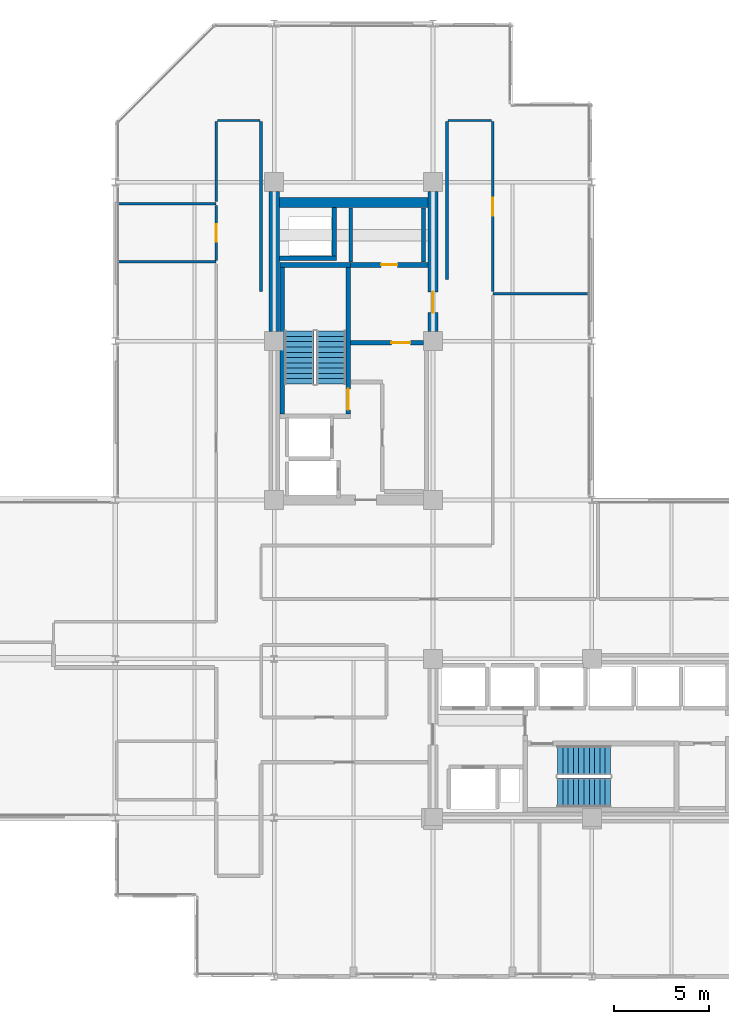
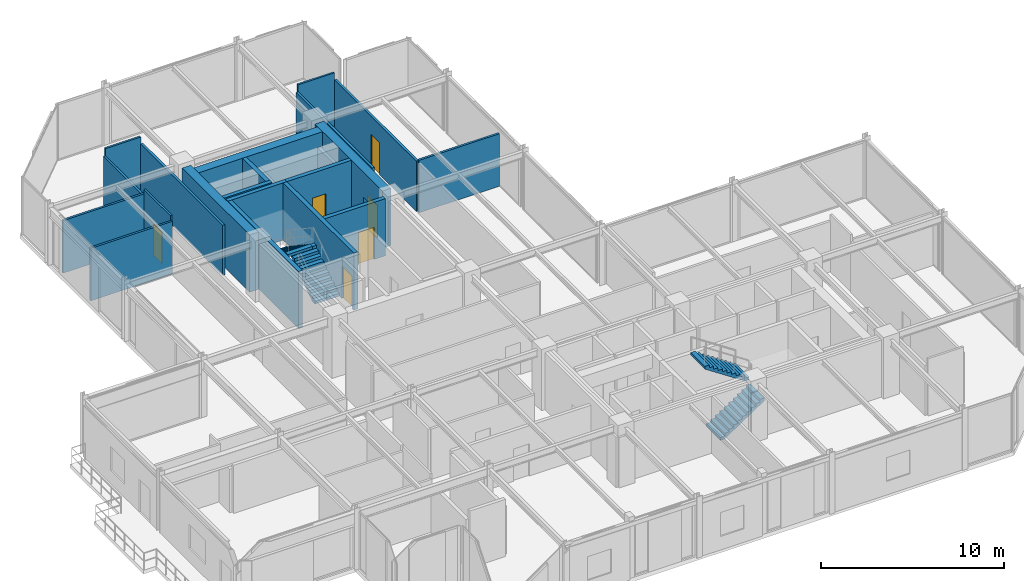
# One storey, part 26 of 29: 22 walls, 6 doors, 4 stair flights, 6 openings, 2 elements without a shape of their own.
"""IFC4 building model written with IfcOpenShell, lengths in metres."""

from ifc_helpers import new_model, si_unit, direction, frame, frame_2d, origin, place, context, subcontext, project, spatial, polyline, rectangle, outline, extrude, material, layer, layer_set, type_object, element, fill, aggregate, save


model = new_model("IFC4")

# Units and contexts
model_context = context("Model", 3, precision=1e-05, world=origin(), true_north=direction((0.0, 1.0)))
body_context = subcontext(model_context, "Body", "Model", "MODEL_VIEW")
ifc_project = project(units=[si_unit("LENGTHUNIT", "METRE"), si_unit("AREAUNIT", "SQUARE_METRE"), si_unit("VOLUMEUNIT", "CUBIC_METRE"), si_unit("PLANEANGLEUNIT", "RADIAN"), si_unit("MASSUNIT", "GRAM", prefix="KILO")], contexts=[model_context])

# Site, building, storey
site_placement = place(None, origin())
site = spatial("IfcSite", under=ifc_project, at=site_placement, CompositionType="ELEMENT")
building_placement = place(site_placement, origin())
building = spatial("IfcBuilding", under=site, at=building_placement, Name="Nerrivon Quay Data Exchange", CompositionType="ELEMENT")
storey_placement = place(building_placement, frame((0.0, 0.0, 200.10009765625)))
storey = spatial("IfcBuildingStorey", under=building, at=storey_placement, Name="L47", CompositionType="ELEMENT", Elevation=200.10009765625)

# Walls
ifc_material_1 = material(Name="Concrete S65 (65 MPa)", Category="concrete")
ifc_layer_1 = layer(ifc_material_1, 0.550048828125)
ifc_layer_set_1 = layer_set([ifc_layer_1], Name="Concrete S65 (65 MPa)")
wall_type_1 = type_object("IfcWallType", Name="WALL-CW-700", PredefinedType="SHEAR", material=ifc_layer_set_1)
wall_1_placement = place(storey_placement, frame((8.39990234375, 34.10009765625, 0.0), z_axis=(0.0, 0.0, 1.0), x_axis=(0.0, 1.0, 0.0)))
element("IfcWall", 1, at=wall_1_placement, inside=storey, type_object=wall_type_1, Name="L47 West Split-Core Shear Wall WCW-W2", PredefinedType="SHEAR", context=body_context, shape_type="SweptSolid", body=[
    extrude(rectangle(XDim=7.39990234375, YDim=0.550048828125, at=frame_2d((3.699951171875, 0.0))), origin(), (0.0, 0.0, 1.0), 3.824951171875),
])
wall_2_placement = place(storey_placement, frame((8.675048828125, 40.925048828125, 0.0), z_axis=(0.0, 0.0, 1.0), x_axis=(1.0, 0.0, 0.0)))
element("IfcWall", 2, at=wall_2_placement, inside=storey, type_object=wall_type_1, Name="L47 West Split-Core Shear Wall WCW-N1", PredefinedType="SHEAR", context=body_context, shape_type="SweptSolid", body=[
    extrude(rectangle(XDim=7.849853515625, YDim=0.550048828125, at=frame_2d((3.9248046875, 0.0))), origin(), (0.0, 0.0, 1.0), 3.824951171875),
])

# Wall, opening, door
wall_3_placement = place(storey_placement, frame((16.800048828125, 34.10009765625, 0.0), z_axis=(0.0, 0.0, 1.0), x_axis=(0.0, 1.0, 0.0)))
wall_3 = element("IfcWall", 3, at=wall_3_placement, inside=storey, type_object=wall_type_1, Name="L47 West Split-Core Shear Wall WCW-E1", PredefinedType="SHEAR", context=body_context, shape_type="SweptSolid", body=[
    extrude(rectangle(XDim=7.39990234375, YDim=0.550048828125, at=frame_2d((3.699951171875, 0.0))), origin(), (0.0, 0.0, 1.0), 3.824951171875),
])
opening_1_placement = place(wall_3_placement, frame((1.0, 0.0, 0.0)))
opening_1 = element("IfcOpeningElement", 4, at=opening_1_placement, cuts=wall_3, Name="Opening FD-120", PredefinedType="OPENING", context=body_context, shape_type="SweptSolid", body=[
    extrude(rectangle(XDim=1.10009765625, YDim=2.14990234375, at=frame_2d((0.550048828125, 1.074951171875))), frame((0.0, 0.284912109375, 0.0), z_axis=(0.0, -1.0, 0.0), x_axis=(1.0, 0.0, 0.0)), (0.0, 0.0, 1.0), 0.570068359375),
])
ifc_material_2 = material(Name="Powder-coated galvanized steel sheet", Category="steel")
door_type_1 = type_object("IfcDoorType", Name="DR-FD120-1100", OperationType="NOTDEFINED", PredefinedType="DOOR", material=ifc_material_2)
door_1_placement = place(opening_1_placement, origin())
door_1 = element("IfcDoor", 5, at=door_1_placement, inside=storey, type_object=door_type_1, Name="L47 West Core Lobby Fire Door", OperationType="SINGLE_SWING_LEFT", OverallHeight=2.14990234375, OverallWidth=1.10009765625, PredefinedType="DOOR", context=body_context, shape_type="SweptSolid", body=[
    extrude(rectangle(XDim=1.10009765625, YDim=2.14990234375, at=frame_2d((0.550048828125, 1.074951171875))), frame((0.0, 0.02490234375, 0.0), z_axis=(0.0, -1.0, 0.0), x_axis=(1.0, 0.0, 0.0)), (0.0, 0.0, 1.0), 0.050048828125),
])
fill(opening_1, door_1)

# Walls
ifc_material_3 = material(Name="Gypsum plasterboard on cold-formed framing", Category="gypsum")
ifc_layer_2 = layer(ifc_material_3, 0.199951171875)
ifc_layer_set_2 = layer_set([ifc_layer_2], Name="Gypsum plasterboard on cold-formed framing")
wall_type_2 = type_object("IfcWallType", Name="WALL-FW-200", PredefinedType="PARTITIONING", material=ifc_layer_set_2)
for number, where, z_axis, x_axis, name in (
    (6, (16.300048828125, 37.780029296875, 0.0), (0.0, 0.0, 1.0), (0.0, 1.0, 0.0), "L47 Partition Cleaners Store"),
    (7, (12.449951171875, 40.64599609375, 0.0), (0.0, 0.0, 1.0), (0.0, -1.0, 0.0), "L47 Partition Cleaners Store"),
):
    element("IfcWall", number, at=place(storey_placement, frame(where, z_axis=z_axis, x_axis=x_axis)), inside=storey, type_object=wall_type_2, Name=name, PredefinedType="PARTITIONING", context=body_context, shape_type="SweptSolid", body=[
        extrude(rectangle(XDim=2.865966796875, YDim=0.199951171875, at=frame_2d((1.43310546875, 0.0))), origin(), (0.0, 0.0, 1.0), 2.875),
    ])

# Wall, opening, door
ifc_layer_3 = layer(ifc_material_3, 0.1201171875)
ifc_layer_set_3 = layer_set([ifc_layer_3], Name="Gypsum plasterboard on cold-formed framing")
wall_type_3 = type_object("IfcWallType", Name="WALL-PT-120", PredefinedType="PARTITIONING", material=ifc_layer_set_3)
wall_4_placement = place(storey_placement, frame((5.340087890625, 37.87158203125, 0.0), z_axis=(0.0, 0.0, 1.0), x_axis=(0.0, 1.0, 0.0)))
wall_4 = element("IfcWall", 8, at=wall_4_placement, inside=storey, type_object=wall_type_3, Name="L47 Partition Accessible Toilet", PredefinedType="PARTITIONING", context=body_context, shape_type="SweptSolid", body=[
    extrude(rectangle(XDim=2.906982421875, YDim=0.1201171875, at=frame_2d((1.45361328125, 0.0))), origin(), (0.0, 0.0, 1.0), 3.824951171875),
])
opening_2_placement = place(wall_4_placement, frame((0.993408203125, 0.0, 0.0)))
opening_2 = element("IfcOpeningElement", 9, at=opening_2_placement, cuts=wall_4, Name="Opening D-WC", PredefinedType="OPENING", context=body_context, shape_type="SweptSolid", body=[
    extrude(rectangle(XDim=0.919921875, YDim=2.10009765625, at=frame_2d((0.4599609375, 1.050048828125))), frame((0.0, 0.070068359375, 0.0), z_axis=(0.0, -1.0, 0.0), x_axis=(1.0, 0.0, 0.0)), (0.0, 0.0, 1.0), 0.14013671875),
])
ifc_material_4 = material(Name="Engineered hardwood timber", Category="wood")
door_type_2 = type_object("IfcDoorType", Name="DR-WC-920", OperationType="NOTDEFINED", PredefinedType="DOOR", material=ifc_material_4)
door_2_placement = place(opening_2_placement, origin())
door_2 = element("IfcDoor", 10, at=door_2_placement, inside=storey, type_object=door_type_2, Name="L47 Door Accessible Toilet", OperationType="SINGLE_SWING_RIGHT", OverallHeight=2.10009765625, OverallWidth=0.919921875, PredefinedType="DOOR", context=body_context, shape_type="SweptSolid", body=[
    extrude(rectangle(XDim=0.919921875, YDim=2.10009765625, at=frame_2d((0.4599609375, 1.050048828125))), frame((0.0, 0.02490234375, 0.0), z_axis=(0.0, -1.0, 0.0), x_axis=(1.0, 0.0, 0.0)), (0.0, 0.0, 1.0), 0.050048828125),
])
fill(opening_2, door_2)

# Walls
wall_5_placement = place(storey_placement, frame((5.39990234375, 45.260009765625, 0.0), z_axis=(0.0, 0.0, 1.0), x_axis=(1.0, 0.0, 0.0)))
element("IfcWall", 11, at=wall_5_placement, inside=storey, type_object=wall_type_3, Name="L47 Partition Technical Library", PredefinedType="PARTITIONING", context=body_context, shape_type="SweptSolid", body=[
    extrude(rectangle(XDim=2.25, YDim=0.1201171875, at=frame_2d((1.125, 0.0))), origin(), (0.0, 0.0, 1.0), 3.824951171875),
])
wall_6_placement = place(storey_placement, frame((17.60009765625, 45.260009765625, 0.0), z_axis=(0.0, 0.0, 1.0), x_axis=(1.0, 0.0, 0.0)))
element("IfcWall", 12, at=wall_6_placement, inside=storey, type_object=wall_type_3, Name="L47 Partition Technical Library", PredefinedType="PARTITIONING", context=body_context, shape_type="SweptSolid", body=[
    extrude(rectangle(XDim=2.2998046875, YDim=0.1201171875, at=frame_2d((1.14990234375, 0.0))), origin(), (0.0, 0.0, 1.0), 3.824951171875),
])
ifc_layer_4 = layer(ifc_material_3, 0.135009765625)
ifc_layer_set_4 = layer_set([ifc_layer_4], Name="Gypsum plasterboard on cold-formed framing")
wall_type_4 = type_object("IfcWallType", Name="WALL-PT-135", PredefinedType="PARTITIONING", material=ifc_layer_set_4)
for number, where, z_axis, x_axis, name in (
    (13, (5.340087890625, 40.85009765625, 0.0), (0.0, 0.0, 1.0), (-1.0, 0.0, 0.0), "L47 Partition Accessible Toilet"),
    (14, (0.1689453125, 37.800048828125, 0.0), (0.0, 0.0, 1.0), (1.0, 0.0, 0.0), "L47 Partition Accessible Toilet"),
):
    element("IfcWall", number, at=place(storey_placement, frame(where, z_axis=z_axis, x_axis=x_axis)), inside=storey, type_object=wall_type_4, Name=name, PredefinedType="PARTITIONING", context=body_context, shape_type="SweptSolid", body=[
        extrude(rectangle(XDim=5.171142578125, YDim=0.135009765625, at=frame_2d((2.58544921875, 0.0))), origin(), (0.0, 0.0, 1.0), 3.517822265625),
    ])
wall_7_placement = place(storey_placement, frame((25.031005859375, 36.092041015625, 0.0), z_axis=(0.0, 0.0, 1.0), x_axis=(-1.0, 0.0, 0.0)))
element("IfcWall", 15, at=wall_7_placement, inside=storey, type_object=wall_type_4, Name="L47 Partition Staff Tea Pantry", PredefinedType="PARTITIONING", context=body_context, shape_type="SweptSolid", body=[
    extrude(rectangle(XDim=5.071044921875, YDim=0.135009765625, at=frame_2d((2.53564453125, 0.0))), origin(), (0.0, 0.0, 1.0), 3.517822265625),
])
wall_8_placement = place(storey_placement, frame((5.340087890625, 40.969970703125, 0.0), z_axis=(0.0, 0.0, 1.0), x_axis=(0.0, 1.0, 0.0)))
element("IfcWall", 16, at=wall_8_placement, inside=storey, type_object=wall_type_4, Name="L47 Partition Technical Library", PredefinedType="PARTITIONING", context=body_context, shape_type="SweptSolid", body=[
    extrude(rectangle(XDim=4.22998046875, YDim=0.135009765625, at=frame_2d((2.114990234375, 0.0))), origin(), (0.0, 0.0, 1.0), 3.364990234375),
])

# Wall, opening, door
ifc_layer_5 = layer(ifc_material_3, 0.14990234375)
ifc_layer_set_5 = layer_set([ifc_layer_5], Name="Gypsum plasterboard on cold-formed framing")
wall_type_5 = type_object("IfcWallType", Name="WALL-PT-150", PredefinedType="PARTITIONING", material=ifc_layer_set_5)
wall_9_placement = place(storey_placement, frame((19.9599609375, 45.199951171875, 0.0), z_axis=(0.0, 0.0, 1.0), x_axis=(0.0, -1.0, 0.0)))
wall_9 = element("IfcWall", 17, at=wall_9_placement, inside=storey, type_object=wall_type_5, Name="L47 Partition Technical Library", PredefinedType="PARTITIONING", context=body_context, shape_type="SweptSolid", body=[
    extrude(rectangle(XDim=8.988037109375, YDim=0.14990234375, at=frame_2d((4.494140625, 0.0))), origin(), (0.0, 0.0, 1.0), 3.364990234375),
])
opening_3_placement = place(wall_9_placement, frame((4.01904296875, 0.0, 0.0)))
opening_3 = element("IfcOpeningElement", 18, at=opening_3_placement, cuts=wall_9, Name="Opening D-01", PredefinedType="OPENING", context=body_context, shape_type="SweptSolid", body=[
    extrude(rectangle(XDim=0.949951171875, YDim=2.14990234375, at=frame_2d((0.47509765625, 1.074951171875))), frame((0.0, 0.0849609375, 0.0), z_axis=(0.0, -1.0, 0.0), x_axis=(1.0, 0.0, 0.0)), (0.0, 0.0, 1.0), 0.169921875),
])
door_type_3 = type_object("IfcDoorType", Name="DR-INT-950", OperationType="NOTDEFINED", PredefinedType="DOOR", material=ifc_material_4)
door_3_placement = place(opening_3_placement, origin())
door_3 = element("IfcDoor", 19, at=door_3_placement, inside=storey, type_object=door_type_3, Name="L47 Door Technical Library", OperationType="SINGLE_SWING_LEFT", OverallHeight=2.14990234375, OverallWidth=0.949951171875, PredefinedType="DOOR", context=body_context, shape_type="SweptSolid", body=[
    extrude(rectangle(XDim=0.949951171875, YDim=2.14990234375, at=frame_2d((0.47509765625, 1.074951171875))), frame((0.0, 0.02490234375, 0.0), z_axis=(0.0, -1.0, 0.0), x_axis=(1.0, 0.0, 0.0)), (0.0, 0.0, 1.0), 0.050048828125),
])
fill(opening_3, door_3)

# Walls
wall_10_placement = place(storey_placement, frame((7.7099609375, 45.199951171875, 0.0), z_axis=(0.0, 0.0, 1.0), x_axis=(0.0, -1.0, 0.0)))
element("IfcWall", 20, at=wall_10_placement, inside=storey, type_object=wall_type_5, Name="L47 Partition Technical Library", PredefinedType="PARTITIONING", context=body_context, shape_type="SweptSolid", body=[
    extrude(rectangle(XDim=8.988037109375, YDim=0.14990234375, at=frame_2d((4.494140625, 0.0))), origin(), (0.0, 0.0, 1.0), 3.364990234375),
])
wall_11_placement = place(storey_placement, frame((17.5400390625, 36.860107421875, 0.0), z_axis=(0.0, 0.0, 1.0), x_axis=(0.0, 1.0, 0.0)))
element("IfcWall", 21, at=wall_11_placement, inside=storey, type_object=wall_type_5, Name="L47 Partition Technical Library", PredefinedType="PARTITIONING", context=body_context, shape_type="SweptSolid", body=[
    extrude(rectangle(XDim=8.33984375, YDim=0.14990234375, at=frame_2d((4.169921875, 0.0))), origin(), (0.0, 0.0, 1.0), 3.364990234375),
])
ifc_material_5 = material(Name="Concrete N50 (50 MPa)", Category="concrete")
ifc_layer_6 = layer(ifc_material_5, 0.25)
ifc_layer_set_6 = layer_set([ifc_layer_6], Name="Concrete N50 (50 MPa)")
wall_type_6 = type_object("IfcWallType", Name="WALL-SW-250", PredefinedType="SHEAR", material=ifc_layer_set_6)
wall_12_placement = place(storey_placement, frame((12.449951171875, 37.625, 0.0), z_axis=(0.0, 0.0, 1.0), x_axis=(-1.0, 0.0, 0.0)))
element("IfcWall", 22, at=wall_12_placement, inside=storey, type_object=wall_type_6, Name="L47 ST01 Structural Stair Core Wall FAR", PredefinedType="SHEAR", context=body_context, shape_type="SweptSolid", body=[
    extrude(rectangle(XDim=3.75, YDim=0.25, at=frame_2d((1.875, 0.0))), origin(), (0.0, 0.0, 1.0), 3.824951171875),
])

# Wall, opening, door
wall_13_placement = place(storey_placement, frame((12.324951171875, 29.75, 0.0), z_axis=(0.0, 0.0, 1.0), x_axis=(0.0, 1.0, 0.0)))
wall_13 = element("IfcWall", 23, at=wall_13_placement, inside=storey, type_object=wall_type_6, Name="L47 ST01 Structural Stair Core Wall LEFT", PredefinedType="SHEAR", context=body_context, shape_type="SweptSolid", body=[
    extrude(rectangle(XDim=7.75, YDim=0.25, at=frame_2d((3.875, 0.0))), origin(), (0.0, 0.0, 1.0), 3.824951171875),
])
opening_4_placement = place(wall_13_placement, frame((0.219970703125, 0.0, 0.0)))
opening_4 = element("IfcOpeningElement", 24, at=opening_4_placement, cuts=wall_13, Name="Opening FD-120", PredefinedType="OPENING", context=body_context, shape_type="SweptSolid", body=[
    extrude(rectangle(XDim=1.10009765625, YDim=2.14990234375, at=frame_2d((0.550048828125, 1.074951171875))), frame((0.0, 0.135009765625, 0.0), z_axis=(0.0, -1.0, 0.0), x_axis=(1.0, 0.0, 0.0)), (0.0, 0.0, 1.0), 0.27001953125),
])
door_4_placement = place(opening_4_placement, origin())
door_4 = element("IfcDoor", 25, at=door_4_placement, inside=storey, type_object=door_type_1, Name="L47 Protected Stair Door ST01", OperationType="SINGLE_SWING_LEFT", OverallHeight=2.14990234375, OverallWidth=1.10009765625, PredefinedType="DOOR", context=body_context, shape_type="SweptSolid", body=[
    extrude(rectangle(XDim=1.10009765625, YDim=2.14990234375, at=frame_2d((0.550048828125, 1.074951171875))), frame((0.0, 0.02490234375, 0.0), z_axis=(0.0, -1.0, 0.0), x_axis=(1.0, 0.0, 0.0)), (0.0, 0.0, 1.0), 0.050048828125),
])
fill(opening_4, door_4)

# Walls
wall_14_placement = place(storey_placement, frame((8.824951171875, 29.75, 0.0), z_axis=(0.0, 0.0, 1.0), x_axis=(0.0, 1.0, 0.0)))
element("IfcWall", 26, at=wall_14_placement, inside=storey, type_object=wall_type_6, Name="L47 ST01 Structural Stair Core Wall RIGHT", PredefinedType="SHEAR", context=body_context, shape_type="SweptSolid", body=[
    extrude(rectangle(XDim=7.75, YDim=0.25, at=frame_2d((3.875, 0.0))), origin(), (0.0, 0.0, 1.0), 3.824951171875),
])
wall_15_placement = place(storey_placement, frame((8.675048828125, 37.97509765625, 0.0), z_axis=(0.0, 0.0, 1.0), x_axis=(1.0, 0.0, 0.0)))
element("IfcWall", 27, at=wall_15_placement, inside=storey, type_object=wall_type_6, Name="L47 West Core MEP Riser Shaft Wall S", PredefinedType="SHEAR", context=body_context, shape_type="SweptSolid", body=[
    extrude(rectangle(XDim=3.02490234375, YDim=0.25, at=frame_2d((1.512451171875, 0.0))), origin(), (0.0, 0.0, 1.0), 3.824951171875),
])
wall_16_placement = place(storey_placement, frame((11.574951171875, 38.10009765625, 0.0), z_axis=(0.0, 0.0, 1.0), x_axis=(0.0, 1.0, 0.0)))
element("IfcWall", 28, at=wall_16_placement, inside=storey, type_object=wall_type_6, Name="L47 West Core MEP Riser Shaft Wall E", PredefinedType="SHEAR", context=body_context, shape_type="SweptSolid", body=[
    extrude(rectangle(XDim=2.5498046875, YDim=0.25, at=frame_2d((1.27490234375, 0.0))), origin(), (0.0, 0.0, 1.0), 3.824951171875),
])

# Wall, opening, door
wall_17_placement = place(storey_placement, frame((12.449951171875, 33.52001953125, 0.0), z_axis=(0.0, 0.0, 1.0), x_axis=(1.0, 0.0, 0.0)))
wall_17 = element("IfcWall", 29, at=wall_17_placement, inside=storey, type_object=wall_type_6, Name="L47 West Lobby Smoke-Stop Wall", PredefinedType="SHEAR", context=body_context, shape_type="SweptSolid", body=[
    extrude(rectangle(XDim=3.85009765625, YDim=0.25, at=frame_2d((1.925048828125, 0.0))), origin(), (0.0, 0.0, 1.0), 3.824951171875),
])
opening_5_placement = place(wall_17_placement, frame((2.14990234375, 0.0, 0.0)))
opening_5 = element("IfcOpeningElement", 30, at=opening_5_placement, cuts=wall_17, Name="Opening FD-60", PredefinedType="OPENING", context=body_context, shape_type="SweptSolid", body=[
    extrude(rectangle(XDim=1.0, YDim=2.14990234375, at=frame_2d((0.5, 1.074951171875))), frame((0.0, 0.135009765625, 0.0), z_axis=(0.0, -1.0, 0.0), x_axis=(1.0, 0.0, 0.0)), (0.0, 0.0, 1.0), 0.27001953125),
])
door_type_4 = type_object("IfcDoorType", Name="DR-FD60-1000", OperationType="NOTDEFINED", PredefinedType="DOOR", material=ifc_material_4)
door_5_placement = place(opening_5_placement, origin())
door_5 = element("IfcDoor", 31, at=door_5_placement, inside=storey, type_object=door_type_4, Name="L47 West Firefighting Lobby Fire Door", OperationType="SINGLE_SWING_LEFT", OverallHeight=2.14990234375, OverallWidth=1.0, PredefinedType="DOOR", context=body_context, shape_type="SweptSolid", body=[
    extrude(rectangle(XDim=1.0, YDim=2.14990234375, at=frame_2d((0.5, 1.074951171875))), frame((0.0, 0.02490234375, 0.0), z_axis=(0.0, -1.0, 0.0), x_axis=(1.0, 0.0, 0.0)), (0.0, 0.0, 1.0), 0.050048828125),
])
fill(opening_5, door_5)

wall_18_placement = place(storey_placement, frame((12.449951171875, 37.625, 0.0), z_axis=(0.0, 0.0, 1.0), x_axis=(1.0, 0.0, 0.0)))
wall_18 = element("IfcWall", 32, at=wall_18_placement, inside=storey, type_object=wall_type_6, Name="L47 West Firefighting Lobby Wall", PredefinedType="SHEAR", context=body_context, shape_type="SweptSolid", body=[
    extrude(rectangle(XDim=4.074951171875, YDim=0.25, at=frame_2d((2.03759765625, 0.0))), origin(), (0.0, 0.0, 1.0), 3.824951171875),
])
opening_6_placement = place(wall_18_placement, frame((1.612548828125, 0.0, 0.0)))
opening_6 = element("IfcOpeningElement", 33, at=opening_6_placement, cuts=wall_18, Name="Opening FD-60S", PredefinedType="OPENING", context=body_context, shape_type="SweptSolid", body=[
    extrude(rectangle(XDim=0.85009765625, YDim=2.14990234375, at=frame_2d((0.425048828125, 1.074951171875))), frame((0.0, 0.135009765625, 0.0), z_axis=(0.0, -1.0, 0.0), x_axis=(1.0, 0.0, 0.0)), (0.0, 0.0, 1.0), 0.27001953125),
])
door_type_5 = type_object("IfcDoorType", Name="DR-FD60-850", OperationType="NOTDEFINED", PredefinedType="DOOR", material=ifc_material_4)
door_6_placement = place(opening_6_placement, origin())
door_6 = element("IfcDoor", 34, at=door_6_placement, inside=storey, type_object=door_type_5, Name="L47 Door Cleaners Store", OperationType="SINGLE_SWING_RIGHT", OverallHeight=2.14990234375, OverallWidth=0.85009765625, PredefinedType="DOOR", context=body_context, shape_type="SweptSolid", body=[
    extrude(rectangle(XDim=0.85009765625, YDim=2.14990234375, at=frame_2d((0.425048828125, 1.074951171875))), frame((0.0, 0.02490234375, 0.0), z_axis=(0.0, -1.0, 0.0), x_axis=(1.0, 0.0, 0.0)), (0.0, 0.0, 1.0), 0.050048828125),
])
fill(opening_6, door_6)

# Stair, stair flights
stair_type = type_object("IfcStairType", Name="STAIR-DOG-41", PredefinedType="HALF_TURN_STAIR", material=ifc_material_5)
stair_1_placement = place(storey_placement, origin())
stair_1 = element("IfcStair", 35, at=stair_1_placement, inside=storey, type_object=stair_type, Name="L47 West Core Fire Stair ST01", PredefinedType="HALF_TURN_STAIR")
stair_flight_type = type_object("IfcStairFlightType", Name="FLIGHT-DOG-41", PredefinedType="STRAIGHT", material=ifc_material_5)
stair_flight_1_placement = place(storey_placement, frame((11.425048828125, 31.330078125, 0.0), z_axis=(0.0, 0.0, 1.0), x_axis=(0.0, 1.0, 0.0)))
stair_flight_1 = element("IfcStairFlight", 36, at=stair_flight_1_placement, type_object=stair_flight_type, Name="ST01 flight 1", NumberOfRisers=11, NumberOfTreads=10, PredefinedType="STRAIGHT", RiserHeight=0.186363636, TreadLength=0.28, context=body_context, shape_type="SweptSolid", body=[
    extrude(outline(polyline([(0.0, 0.0), (0.0, 0.186279296875), (0.280029296875, 0.186279296875), (0.280029296875, 0.372802734375), (0.56005859375, 0.372802734375), (0.56005859375, 0.55908203125), (0.840087890625, 0.55908203125), (0.840087890625, 0.745361328125), (1.1201171875, 0.745361328125), (1.1201171875, 0.931884765625), (1.39990234375, 0.931884765625), (1.39990234375, 1.1181640625), (1.679931640625, 1.1181640625), (1.679931640625, 1.304443359375), (1.9599609375, 1.304443359375), (1.9599609375, 1.490966796875), (2.239990234375, 1.490966796875), (2.239990234375, 1.67724609375), (2.52001953125, 1.67724609375), (2.52001953125, 1.863525390625), (2.800048828125, 1.863525390625), (2.800048828125, 2.050048828125), (2.800048828125, 1.68359375), (0.2705078125, 0.0), (0.0, 0.0)])), frame((0.0, 0.77490234375, 0.0), z_axis=(0.0, -1.0, 0.0), x_axis=(1.0, 0.0, 0.0)), (0.0, 0.0, 1.0), 1.550048828125),
])
stair_flight_2_placement = place(storey_placement, frame((9.72509765625, 34.1298828125, 2.0498046875), z_axis=(0.0, 0.0, 1.0), x_axis=(0.0, -1.0, 0.0)))
stair_flight_2 = element("IfcStairFlight", 37, at=stair_flight_2_placement, type_object=stair_flight_type, Name="ST01 flight 2", NumberOfRisers=11, NumberOfTreads=10, PredefinedType="STRAIGHT", RiserHeight=0.186363636, TreadLength=0.28, context=body_context, shape_type="SweptSolid", body=[
    extrude(outline(polyline([(0.0, 0.0), (0.0, 0.186279296875), (0.280029296875, 0.186279296875), (0.280029296875, 0.372802734375), (0.56005859375, 0.372802734375), (0.56005859375, 0.55908203125), (0.840087890625, 0.55908203125), (0.840087890625, 0.745361328125), (1.1201171875, 0.745361328125), (1.1201171875, 0.931884765625), (1.39990234375, 0.931884765625), (1.39990234375, 1.1181640625), (1.679931640625, 1.1181640625), (1.679931640625, 1.304443359375), (1.9599609375, 1.304443359375), (1.9599609375, 1.490966796875), (2.239990234375, 1.490966796875), (2.239990234375, 1.67724609375), (2.52001953125, 1.67724609375), (2.52001953125, 1.863525390625), (2.800048828125, 1.863525390625), (2.800048828125, 2.050048828125), (2.800048828125, 1.68359375), (0.2705078125, 0.0), (0.0, 0.0)])), frame((0.0, 0.77490234375, 0.0), z_axis=(0.0, -1.0, 0.0), x_axis=(1.0, 0.0, 0.0)), (0.0, 0.0, 1.0), 1.550048828125),
])
aggregate(stair_1, [stair_flight_1, stair_flight_2])

stair_2_placement = place(storey_placement, origin())
stair_2 = element("IfcStair", 38, at=stair_2_placement, inside=storey, type_object=stair_type, Name="L47 East Core Fire Stair ST02", PredefinedType="HALF_TURN_STAIR")
stair_flight_3_placement = place(storey_placement, frame((23.3798828125, 9.72509765625, 0.0), z_axis=(0.0, 0.0, 1.0), x_axis=(1.0, 0.0, 0.0)))
stair_flight_3 = element("IfcStairFlight", 39, at=stair_flight_3_placement, type_object=stair_flight_type, Name="ST02 flight 1", NumberOfRisers=11, NumberOfTreads=10, PredefinedType="STRAIGHT", RiserHeight=0.186363636, TreadLength=0.28, context=body_context, shape_type="SweptSolid", body=[
    extrude(outline(polyline([(0.0, 0.0), (0.0, 0.186279296875), (0.280029296875, 0.186279296875), (0.280029296875, 0.372802734375), (0.56005859375, 0.372802734375), (0.56005859375, 0.55908203125), (0.840087890625, 0.55908203125), (0.840087890625, 0.745361328125), (1.1201171875, 0.745361328125), (1.1201171875, 0.931884765625), (1.39990234375, 0.931884765625), (1.39990234375, 1.1181640625), (1.679931640625, 1.1181640625), (1.679931640625, 1.304443359375), (1.9599609375, 1.304443359375), (1.9599609375, 1.490966796875), (2.239990234375, 1.490966796875), (2.239990234375, 1.67724609375), (2.52001953125, 1.67724609375), (2.52001953125, 1.863525390625), (2.800048828125, 1.863525390625), (2.800048828125, 2.050048828125), (2.800048828125, 1.68359375), (0.2705078125, 0.0), (0.0, 0.0)])), frame((0.0, 0.77490234375, 0.0), z_axis=(0.0, -1.0, 0.0), x_axis=(1.0, 0.0, 0.0)), (0.0, 0.0, 1.0), 1.550048828125),
])
stair_flight_4_placement = place(storey_placement, frame((26.179931640625, 11.425048828125, 2.0498046875), z_axis=(0.0, 0.0, 1.0), x_axis=(-1.0, 0.0, 0.0)))
stair_flight_4 = element("IfcStairFlight", 40, at=stair_flight_4_placement, type_object=stair_flight_type, Name="ST02 flight 2", NumberOfRisers=11, NumberOfTreads=10, PredefinedType="STRAIGHT", RiserHeight=0.186363636, TreadLength=0.28, context=body_context, shape_type="SweptSolid", body=[
    extrude(outline(polyline([(0.0, 0.0), (0.0, 0.186279296875), (0.280029296875, 0.186279296875), (0.280029296875, 0.372802734375), (0.56005859375, 0.372802734375), (0.56005859375, 0.55908203125), (0.840087890625, 0.55908203125), (0.840087890625, 0.745361328125), (1.1201171875, 0.745361328125), (1.1201171875, 0.931884765625), (1.39990234375, 0.931884765625), (1.39990234375, 1.1181640625), (1.679931640625, 1.1181640625), (1.679931640625, 1.304443359375), (1.9599609375, 1.304443359375), (1.9599609375, 1.490966796875), (2.239990234375, 1.490966796875), (2.239990234375, 1.67724609375), (2.52001953125, 1.67724609375), (2.52001953125, 1.863525390625), (2.800048828125, 1.863525390625), (2.800048828125, 2.050048828125), (2.800048828125, 1.68359375), (0.2705078125, 0.0), (0.0, 0.0)])), frame((0.0, 0.77490234375, 0.0), z_axis=(0.0, -1.0, 0.0), x_axis=(1.0, 0.0, 0.0)), (0.0, 0.0, 1.0), 1.550048828125),
])
aggregate(stair_2, [stair_flight_3, stair_flight_4])

save(model, "model.ifc")
